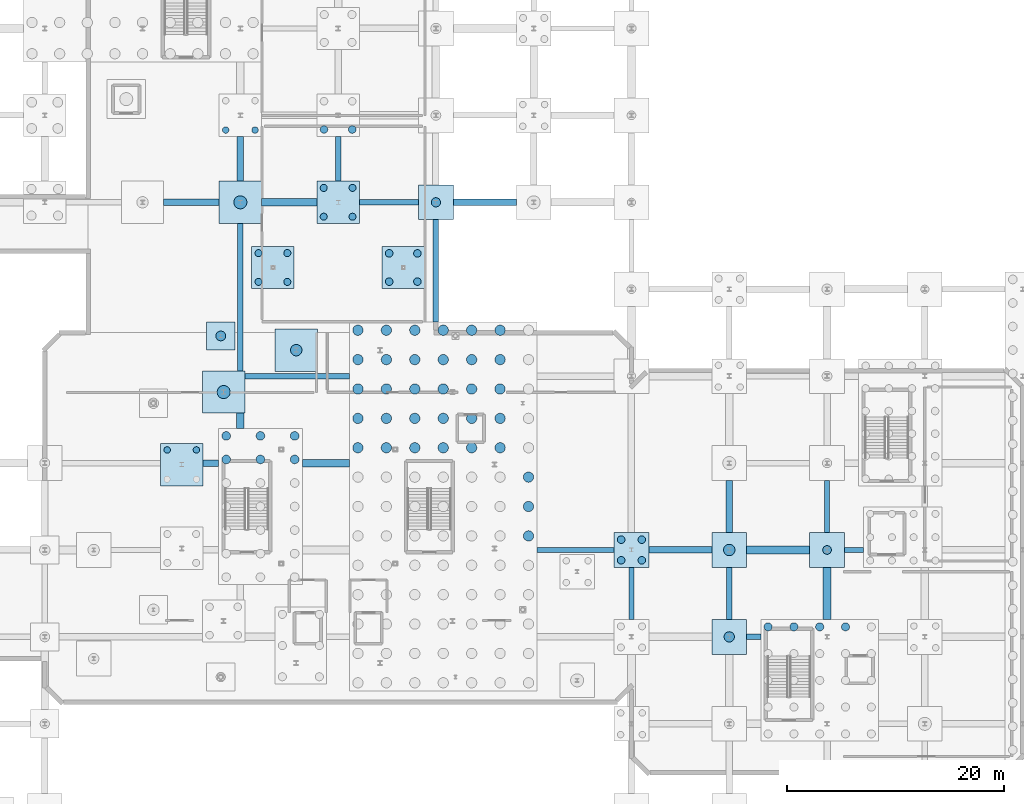
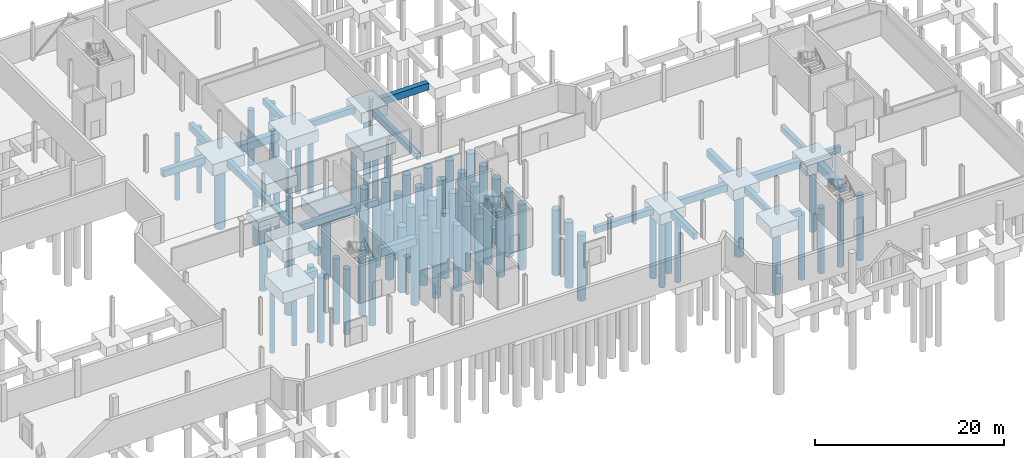
# One storey, part 5 of 37: 73 piles, 35 footings.
"""IFC4 building model written with IfcOpenShell, lengths in metres."""

from ifc_helpers import new_model, si_unit, direction, frame, origin, origin_2d, place, context, subcontext, project, spatial, polyline, rectangle, circle, outline, extrude, material, material_profile, profile_set, type_object, element, save


model = new_model("IFC4")

# Units and contexts
model_context = context("Model", 3, precision=1e-05, world=origin(), true_north=direction((0.0, 1.0)))
body_context = subcontext(model_context, "Body", "Model", "MODEL_VIEW")
ifc_project = project(units=[si_unit("LENGTHUNIT", "METRE"), si_unit("AREAUNIT", "SQUARE_METRE"), si_unit("VOLUMEUNIT", "CUBIC_METRE"), si_unit("PLANEANGLEUNIT", "RADIAN"), si_unit("MASSUNIT", "GRAM", prefix="KILO"), si_unit("THERMODYNAMICTEMPERATUREUNIT", "KELVIN"), si_unit("POWERUNIT", "WATT")], contexts=[model_context])

# Site, building, storey
site_placement = place(None, origin())
site = spatial("IfcSite", under=ifc_project, at=site_placement, CompositionType="ELEMENT")
building_placement = place(site_placement, origin())
building = spatial("IfcBuilding", under=site, at=building_placement, Name="Zelmaris Science Centre", CompositionType="ELEMENT")
storey_placement = place(building_placement, frame((0.0, 0.0, -4.800048828125)))
storey = spatial("IfcBuildingStorey", under=building, at=storey_placement, Name="B1", CompositionType="ELEMENT", Elevation=-4.800048828125)

# Footings
ifc_material = material(Name="Concrete C40/50", Category="concrete")
ifc_material_profile_1 = material_profile(ifc_material, rectangle(XDim=0.5, YDim=0.800048828125, at=origin_2d()), Name="FB-500X800")
ifc_profile_set_1 = profile_set([ifc_material_profile_1], Name="Concrete C40/50")
footing_type_1 = type_object("IfcFootingType", Name="Foundation Tie Beam FB-01 500x800", PredefinedType="FOOTING_BEAM", material=ifc_profile_set_1)
footing_1_placement = place(storey_placement, frame((72.0, 48.486083984375, -0.75), z_axis=(0.0, 1.0, 0.0), x_axis=(-1.0, 0.0, 0.0)))
element("IfcFooting", 1, at=footing_1_placement, inside=storey, type_object=footing_type_1, Name="Foundation tie beam 40", PredefinedType="FOOTING_BEAM", context=body_context, shape_type="SweptSolid", body=[
    extrude(rectangle(XDim=0.5, YDim=0.800048828125, at=origin_2d()), origin(), (0.0, 0.0, 1.0), 13.56396484375),
])
footing_2_placement = place(storey_placement, frame((81.0, 65.949951171875, -0.75), z_axis=(0.0, 1.0, 0.0), x_axis=(-1.0, 0.0, 0.0)))
element("IfcFooting", 2, at=footing_2_placement, inside=storey, type_object=footing_type_1, Name="Foundation tie beam 43", PredefinedType="FOOTING_BEAM", context=body_context, shape_type="SweptSolid", body=[
    extrude(rectangle(XDim=0.5, YDim=0.800048828125, at=origin_2d()), origin(), (0.0, 0.0, 1.0), 4.10009765625),
])
footing_3_placement = place(storey_placement, frame((90.0, 53.0, -0.75), z_axis=(0.0, 1.0, 0.0), x_axis=(-1.0, 0.0, 0.0)))
element("IfcFooting", 3, at=footing_3_placement, inside=storey, type_object=footing_type_1, Name="Foundation tie beam 46", PredefinedType="FOOTING_BEAM", context=body_context, shape_type="SweptSolid", body=[
    extrude(rectangle(XDim=0.5, YDim=0.800048828125, at=origin_2d()), origin(), (0.0, 0.0, 1.0), 9.39990234375),
])
for number, where, z_axis, x_axis, name in (
    (4, (108.0, 25.60009765625, -0.75), (0.0, 1.0, 0.0), (-1.0, 0.0, 0.0), "Foundation tie beam 55"),
    (5, (117.0, 25.60009765625, -0.75), (0.0, 1.0, 0.0), (-1.0, 0.0, 0.0), "Foundation tie beam 64"),
    (6, (126.0, 33.60009765625, -0.75), (0.0, 1.0, 0.0), (-1.0, 0.0, 0.0), "Foundation tie beam 70"),
):
    element("IfcFooting", number, at=place(storey_placement, frame(where, z_axis=z_axis, x_axis=x_axis)), inside=storey, type_object=footing_type_1, Name=name, PredefinedType="FOOTING_BEAM", context=body_context, shape_type="SweptSolid", body=[
        extrude(rectangle(XDim=0.5, YDim=0.800048828125, at=origin_2d()), origin(), (0.0, 0.0, 1.0), 4.7998046875),
    ])
footing_4_placement = place(storey_placement, frame((118.60009765625, 24.0, -0.75), z_axis=(1.0, 0.0, 0.0), x_axis=(0.0, 1.0, 0.0)))
element("IfcFooting", 7, at=footing_4_placement, inside=storey, type_object=footing_type_1, Name="Foundation tie beam 121", PredefinedType="FOOTING_BEAM", context=body_context, shape_type="SweptSolid", body=[
    extrude(rectangle(XDim=0.5, YDim=0.800048828125, at=origin_2d()), origin(), (0.0, 0.0, 1.0), 1.2998046875),
])
footing_5_placement = place(storey_placement, frame((99.300048828125, 32.0, -0.75), z_axis=(1.0, 0.0, 0.0), x_axis=(0.0, 1.0, 0.0)))
element("IfcFooting", 8, at=footing_5_placement, inside=storey, type_object=footing_type_1, Name="Foundation tie beam 136", PredefinedType="FOOTING_BEAM", context=body_context, shape_type="SweptSolid", body=[
    extrude(rectangle(XDim=0.5, YDim=0.800048828125, at=origin_2d()), origin(), (0.0, 0.0, 1.0), 7.099853515625),
])
footing_6_placement = place(storey_placement, frame((127.60009765625, 32.0, -0.75), z_axis=(1.0, 0.0, 0.0), x_axis=(0.0, 1.0, 0.0)))
element("IfcFooting", 9, at=footing_6_placement, inside=storey, type_object=footing_type_1, Name="Foundation tie beam 139", PredefinedType="FOOTING_BEAM", context=body_context, shape_type="SweptSolid", body=[
    extrude(rectangle(XDim=0.5, YDim=0.800048828125, at=origin_2d()), origin(), (0.0, 0.0, 1.0), 1.75),
])
footing_7_placement = place(storey_placement, frame((72.4140625, 48.0, -0.75), z_axis=(1.0, 0.0, 0.0), x_axis=(0.0, 1.0, 0.0)))
element("IfcFooting", 10, at=footing_7_placement, inside=storey, type_object=footing_type_1, Name="Foundation tie beam 157", PredefinedType="FOOTING_BEAM", context=body_context, shape_type="SweptSolid", body=[
    extrude(rectangle(XDim=0.5, YDim=0.800048828125, at=origin_2d()), origin(), (0.0, 0.0, 1.0), 9.635986328125),
])
footing_8_placement = place(storey_placement, frame((82.949951171875, 64.0, -0.75), z_axis=(1.0, 0.0, 0.0), x_axis=(0.0, 1.0, 0.0)))
element("IfcFooting", 11, at=footing_8_placement, inside=storey, type_object=footing_type_1, Name="Foundation tie beam 178", PredefinedType="FOOTING_BEAM", context=body_context, shape_type="SweptSolid", body=[
    extrude(rectangle(XDim=0.5, YDim=0.800048828125, at=origin_2d()), origin(), (0.0, 0.0, 1.0), 5.449951171875),
])
ifc_material_profile_2 = material_profile(ifc_material, rectangle(XDim=0.60009765625, YDim=0.89990234375, at=origin_2d()), Name="FB-600X900")
ifc_profile_set_2 = profile_set([ifc_material_profile_2], Name="Concrete C40/50")
footing_type_2 = type_object("IfcFootingType", Name="Foundation Tie Beam FB-02 600x900", PredefinedType="FOOTING_BEAM", material=ifc_profile_set_2)
footing_9_placement = place(storey_placement, frame((72.0, 65.949951171875, -0.800048828125), z_axis=(0.0, 1.0, 0.0), x_axis=(-1.0, 0.0, 0.0)))
element("IfcFooting", 12, at=footing_9_placement, inside=storey, type_object=footing_type_2, Name="Foundation tie beam 41", PredefinedType="FOOTING_BEAM", context=body_context, shape_type="SweptSolid", body=[
    extrude(rectangle(XDim=0.60009765625, YDim=0.89990234375, at=origin_2d()), origin(), (0.0, 0.0, 1.0), 4.10009765625),
])
footing_10_placement = place(storey_placement, frame((117.0, 33.60009765625, -0.800048828125), z_axis=(0.0, 1.0, 0.0), x_axis=(-1.0, 0.0, 0.0)))
element("IfcFooting", 13, at=footing_10_placement, inside=storey, type_object=footing_type_2, Name="Foundation tie beam 65", PredefinedType="FOOTING_BEAM", context=body_context, shape_type="SweptSolid", body=[
    extrude(rectangle(XDim=0.60009765625, YDim=0.89990234375, at=origin_2d()), origin(), (0.0, 0.0, 1.0), 4.7998046875),
])
footing_11_placement = place(storey_placement, frame((109.60009765625, 32.0, -0.800048828125), z_axis=(1.0, 0.0, 0.0), x_axis=(0.0, 1.0, 0.0)))
element("IfcFooting", 14, at=footing_11_placement, inside=storey, type_object=footing_type_2, Name="Foundation tie beam 137", PredefinedType="FOOTING_BEAM", context=body_context, shape_type="SweptSolid", body=[
    extrude(rectangle(XDim=0.60009765625, YDim=0.89990234375, at=origin_2d()), origin(), (0.0, 0.0, 1.0), 5.7998046875),
])
footing_12_placement = place(storey_placement, frame((68.55810546875, 40.0, -0.800048828125), z_axis=(1.0, 0.0, 0.0), x_axis=(0.0, 1.0, 0.0)))
element("IfcFooting", 15, at=footing_12_placement, inside=storey, type_object=footing_type_2, Name="Foundation tie beam 149", PredefinedType="FOOTING_BEAM", context=body_context, shape_type="SweptSolid", body=[
    extrude(rectangle(XDim=0.60009765625, YDim=0.89990234375, at=origin_2d()), origin(), (0.0, 0.0, 1.0), 1.44189453125),
])
footing_13_placement = place(storey_placement, frame((64.949951171875, 64.0, -0.800048828125), z_axis=(1.0, 0.0, 0.0), x_axis=(0.0, 1.0, 0.0)))
element("IfcFooting", 16, at=footing_13_placement, inside=storey, type_object=footing_type_2, Name="Foundation tie beam 176", PredefinedType="FOOTING_BEAM", context=body_context, shape_type="SweptSolid", body=[
    extrude(rectangle(XDim=0.60009765625, YDim=0.89990234375, at=origin_2d()), origin(), (0.0, 0.0, 1.0), 5.10009765625),
])
footing_14_placement = place(storey_placement, frame((91.60009765625, 64.0, -0.800048828125), z_axis=(1.0, 0.0, 0.0), x_axis=(0.0, 1.0, 0.0)))
element("IfcFooting", 17, at=footing_14_placement, inside=storey, type_object=footing_type_2, Name="Foundation tie beam 179", PredefinedType="FOOTING_BEAM", context=body_context, shape_type="SweptSolid", body=[
    extrude(rectangle(XDim=0.60009765625, YDim=0.89990234375, at=origin_2d()), origin(), (0.0, 0.0, 1.0), 5.7998046875),
])
ifc_material_profile_3 = material_profile(ifc_material, rectangle(XDim=0.699951171875, YDim=1.0, at=origin_2d()), Name="FB-700X1000")
ifc_profile_set_3 = profile_set([ifc_material_profile_3], Name="Concrete C40/50")
footing_type_3 = type_object("IfcFootingType", Name="Foundation Tie Beam FB-03 700x1000", PredefinedType="FOOTING_BEAM", material=ifc_profile_set_3)
footing_15_placement = place(storey_placement, frame((72.0, 43.199951171875, -0.849853515625), z_axis=(0.0, 1.0, 0.0), x_axis=(-1.0, 0.0, 0.0)))
element("IfcFooting", 18, at=footing_15_placement, inside=storey, type_object=footing_type_3, Name="Foundation tie beam 39", PredefinedType="FOOTING_BEAM", context=body_context, shape_type="SweptSolid", body=[
    extrude(rectangle(XDim=0.699951171875, YDim=1.0, at=origin_2d()), origin(), (0.0, 0.0, 1.0), 1.385986328125),
])
footing_16_placement = place(storey_placement, frame((126.0, 25.60009765625, -0.849853515625), z_axis=(0.0, 1.0, 0.0), x_axis=(-1.0, 0.0, 0.0)))
element("IfcFooting", 19, at=footing_16_placement, inside=storey, type_object=footing_type_3, Name="Foundation tie beam 69", PredefinedType="FOOTING_BEAM", context=body_context, shape_type="SweptSolid", body=[
    extrude(rectangle(XDim=0.699951171875, YDim=1.0, at=origin_2d()), origin(), (0.0, 0.0, 1.0), 4.7998046875),
])
footing_17_placement = place(storey_placement, frame((118.60009765625, 32.0, -0.849853515625), z_axis=(1.0, 0.0, 0.0), x_axis=(0.0, 1.0, 0.0)))
element("IfcFooting", 20, at=footing_17_placement, inside=storey, type_object=footing_type_3, Name="Foundation tie beam 138", PredefinedType="FOOTING_BEAM", context=body_context, shape_type="SweptSolid", body=[
    extrude(rectangle(XDim=0.699951171875, YDim=1.0, at=origin_2d()), origin(), (0.0, 0.0, 1.0), 5.7998046875),
])
footing_18_placement = place(storey_placement, frame((77.699951171875, 40.0, -0.849853515625), z_axis=(1.0, 0.0, 0.0), x_axis=(0.0, 1.0, 0.0)))
element("IfcFooting", 21, at=footing_18_placement, inside=storey, type_object=footing_type_3, Name="Foundation tie beam 150", PredefinedType="FOOTING_BEAM", context=body_context, shape_type="SweptSolid", body=[
    extrude(rectangle(XDim=0.699951171875, YDim=1.0, at=origin_2d()), origin(), (0.0, 0.0, 1.0), 4.35009765625),
])
footing_19_placement = place(storey_placement, frame((73.949951171875, 64.0, -0.849853515625), z_axis=(1.0, 0.0, 0.0), x_axis=(0.0, 1.0, 0.0)))
element("IfcFooting", 22, at=footing_19_placement, inside=storey, type_object=footing_type_3, Name="Foundation tie beam 177", PredefinedType="FOOTING_BEAM", context=body_context, shape_type="SweptSolid", body=[
    extrude(rectangle(XDim=0.699951171875, YDim=1.0, at=origin_2d()), origin(), (0.0, 0.0, 1.0), 5.10009765625),
])
footing_type_4 = type_object("IfcFootingType", Name="Pile Cap PCM-2626 2600x2600x1200", PredefinedType="PILE_CAP", material=ifc_material)
footing_20_placement = place(storey_placement, frame((0.0, 0.0, -1.550048828125)))
element("IfcFooting", 23, at=footing_20_placement, inside=storey, type_object=footing_type_4, Name="Pile cap 57", PredefinedType="PILE_CAP", context=body_context, shape_type="SweptSolid", body=[
    extrude(outline(polyline([(68.89990234375, 50.39990234375), (71.5, 50.39990234375), (71.5, 53.0), (68.89990234375, 53.0), (68.89990234375, 50.39990234375)])), origin(), (0.0, 0.0, 1.0), 1.2001953125),
])
footing_type_5 = type_object("IfcFootingType", Name="Pile Cap PCM-3232 3200x3200x1350", PredefinedType="PILE_CAP", material=ifc_material)
footing_21_placement = place(storey_placement, frame((0.0, 0.0, -1.699951171875)))
element("IfcFooting", 24, at=footing_21_placement, inside=storey, type_object=footing_type_5, Name="Pile cap 63", PredefinedType="PILE_CAP", context=body_context, shape_type="SweptSolid", body=[
    extrude(outline(polyline([(106.39990234375, 30.39990234375), (109.60009765625, 30.39990234375), (109.60009765625, 33.60009765625), (106.39990234375, 33.60009765625), (106.39990234375, 30.39990234375)])), origin(), (0.0, 0.0, 1.0), 1.35009765625),
])
footing_22_placement = place(storey_placement, frame((0.0, 0.0, -1.699951171875)))
element("IfcFooting", 25, at=footing_22_placement, inside=storey, type_object=footing_type_5, Name="Pile cap 68", PredefinedType="PILE_CAP", context=body_context, shape_type="SweptSolid", body=[
    extrude(outline(polyline([(115.39990234375, 22.39990234375), (118.60009765625, 22.39990234375), (118.60009765625, 25.60009765625), (115.39990234375, 25.60009765625), (115.39990234375, 22.39990234375)])), origin(), (0.0, 0.0, 1.0), 1.35009765625),
])
footing_23_placement = place(storey_placement, frame((0.0, 0.0, -1.699951171875)))
element("IfcFooting", 26, at=footing_23_placement, inside=storey, type_object=footing_type_5, Name="Pile cap 69", PredefinedType="PILE_CAP", context=body_context, shape_type="SweptSolid", body=[
    extrude(outline(polyline([(115.39990234375, 30.39990234375), (118.60009765625, 30.39990234375), (118.60009765625, 33.60009765625), (115.39990234375, 33.60009765625), (115.39990234375, 30.39990234375)])), origin(), (0.0, 0.0, 1.0), 1.35009765625),
])
footing_24_placement = place(storey_placement, frame((0.0, 0.0, -1.699951171875)))
element("IfcFooting", 27, at=footing_24_placement, inside=storey, type_object=footing_type_5, Name="Pile cap 75", PredefinedType="PILE_CAP", context=body_context, shape_type="SweptSolid", body=[
    extrude(outline(polyline([(124.39990234375, 30.39990234375), (127.60009765625, 30.39990234375), (127.60009765625, 33.60009765625), (124.39990234375, 33.60009765625), (124.39990234375, 30.39990234375)])), origin(), (0.0, 0.0, 1.0), 1.35009765625),
])
footing_25_placement = place(storey_placement, frame((0.0, 0.0, -1.699951171875)))
element("IfcFooting", 28, at=footing_25_placement, inside=storey, type_object=footing_type_5, Name="Pile cap 106", PredefinedType="PILE_CAP", context=body_context, shape_type="SweptSolid", body=[
    extrude(outline(polyline([(88.39990234375, 62.39990234375), (91.60009765625, 62.39990234375), (91.60009765625, 65.60009765625), (88.39990234375, 65.60009765625), (88.39990234375, 62.39990234375)])), origin(), (0.0, 0.0, 1.0), 1.35009765625),
])
footing_type_6 = type_object("IfcFootingType", Name="Pile Cap PCM-3939 3900x3900x1500", PredefinedType="PILE_CAP", material=ifc_material)
footing_26_placement = place(storey_placement, frame((0.0, 0.0, -1.849853515625)))
element("IfcFooting", 29, at=footing_26_placement, inside=storey, type_object=footing_type_6, Name="Pile cap 49", PredefinedType="PILE_CAP", context=body_context, shape_type="SweptSolid", body=[
    extrude(outline(polyline([(75.194091796875, 48.44189453125), (79.093994140625, 48.44189453125), (79.093994140625, 52.342041015625), (75.194091796875, 52.342041015625), (75.194091796875, 48.44189453125)])), origin(), (0.0, 0.0, 1.0), 1.5),
])
footing_27_placement = place(storey_placement, frame((0.0, 0.0, -1.849853515625)))
element("IfcFooting", 30, at=footing_27_placement, inside=storey, type_object=footing_type_6, Name="Pile cap 50", PredefinedType="PILE_CAP", context=body_context, shape_type="SweptSolid", body=[
    extrude(outline(polyline([(68.513916015625, 44.5859375), (72.4140625, 44.5859375), (72.4140625, 48.486083984375), (68.513916015625, 48.486083984375), (68.513916015625, 44.5859375)])), origin(), (0.0, 0.0, 1.0), 1.5),
])
footing_28_placement = place(storey_placement, frame((0.0, 0.0, -1.849853515625)))
element("IfcFooting", 31, at=footing_28_placement, inside=storey, type_object=footing_type_6, Name="Pile cap 51", PredefinedType="PILE_CAP", context=body_context, shape_type="SweptSolid", body=[
    extrude(outline(polyline([(64.657958984375, 37.906005859375), (68.55810546875, 37.906005859375), (68.55810546875, 41.805908203125), (64.657958984375, 41.805908203125), (64.657958984375, 37.906005859375)])), origin(), (0.0, 0.0, 1.0), 1.5),
])
footing_29_placement = place(storey_placement, frame((0.0, 0.0, -1.849853515625)))
element("IfcFooting", 32, at=footing_29_placement, inside=storey, type_object=footing_type_6, Name="Pile cap 100", PredefinedType="PILE_CAP", context=body_context, shape_type="SweptSolid", body=[
    extrude(outline(polyline([(70.050048828125, 62.050048828125), (73.949951171875, 62.050048828125), (73.949951171875, 65.949951171875), (70.050048828125, 65.949951171875), (70.050048828125, 62.050048828125)])), origin(), (0.0, 0.0, 1.0), 1.5),
])
footing_30_placement = place(storey_placement, frame((0.0, 0.0, -1.849853515625)))
element("IfcFooting", 33, at=footing_30_placement, inside=storey, type_object=footing_type_6, Name="Pile cap 102", PredefinedType="PILE_CAP", context=body_context, shape_type="SweptSolid", body=[
    extrude(outline(polyline([(79.050048828125, 62.050048828125), (82.949951171875, 62.050048828125), (82.949951171875, 65.949951171875), (79.050048828125, 65.949951171875), (79.050048828125, 62.050048828125)])), origin(), (0.0, 0.0, 1.0), 1.5),
])
footing_31_placement = place(storey_placement, frame((0.0, 0.0, -1.849853515625)))
element("IfcFooting", 34, at=footing_31_placement, inside=storey, type_object=footing_type_6, Name="Pile cap 122", PredefinedType="PILE_CAP", context=body_context, shape_type="SweptSolid", body=[
    extrude(outline(polyline([(73.050048828125, 56.050048828125), (76.949951171875, 56.050048828125), (76.949951171875, 59.949951171875), (73.050048828125, 59.949951171875), (73.050048828125, 56.050048828125)])), origin(), (0.0, 0.0, 1.0), 1.5),
])
footing_32_placement = place(storey_placement, frame((0.0, 0.0, -1.849853515625)))
element("IfcFooting", 35, at=footing_32_placement, inside=storey, type_object=footing_type_6, Name="Pile cap 123", PredefinedType="PILE_CAP", context=body_context, shape_type="SweptSolid", body=[
    extrude(outline(polyline([(85.050048828125, 56.050048828125), (88.949951171875, 56.050048828125), (88.949951171875, 59.949951171875), (85.050048828125, 59.949951171875), (85.050048828125, 56.050048828125)])), origin(), (0.0, 0.0, 1.0), 1.5),
])

# Piles
ifc_material_profile_4 = material_profile(ifc_material, circle(Radius=0.52490234375, at=origin_2d()), Name="PILE-1050")
ifc_profile_set_4 = profile_set([ifc_material_profile_4], Name="Concrete C40/50")
pile_type_1 = type_object("IfcPileType", Name="Pile PL-1050 D1050", PredefinedType="BORED", material=ifc_profile_set_4)
pile_1_placement = place(storey_placement, frame((77.14404296875, 50.39208984375, -1.72998046875), z_axis=(0.0, 0.0, -1.0), x_axis=(1.0, 0.0, 0.0)))
element("IfcPile", 36, at=pile_1_placement, inside=storey, type_object=pile_type_1, Name="Bored pile 49-1", PredefinedType="BORED", context=body_context, shape_type="SweptSolid", body=[
    extrude(circle(Radius=0.52490234375, at=origin_2d()), origin(), (0.0, 0.0, 1.0), 8.469970703125),
])
pile_2_placement = place(storey_placement, frame((117.0, 32.0, -1.579833984375), z_axis=(0.0, 0.0, -1.0), x_axis=(1.0, 0.0, 0.0)))
element("IfcPile", 37, at=pile_2_placement, inside=storey, type_object=pile_type_1, Name="Bored pile 69-1", PredefinedType="BORED", context=body_context, shape_type="SweptSolid", body=[
    extrude(circle(Radius=0.52490234375, at=origin_2d()), origin(), (0.0, 0.0, 1.0), 8.6201171875),
])
ifc_material_profile_5 = material_profile(ifc_material, circle(Radius=0.60009765625, at=origin_2d()), Name="PILE-1200")
ifc_profile_set_5 = profile_set([ifc_material_profile_5], Name="Concrete C40/50")
pile_type_2 = type_object("IfcPileType", Name="Pile PL-1200 D1200", PredefinedType="BORED", material=ifc_profile_set_5)
for number, where, z_axis, x_axis, name in (
    (38, (70.464111328125, 46.535888671875, -1.72998046875), (0.0, 0.0, -1.0), (1.0, 0.0, 0.0), "Bored pile 50-1"),
    (39, (72.0, 64.0, -1.72998046875), (0.0, 0.0, -1.0), (1.0, 0.0, 0.0), "Bored pile 100-1"),
):
    element("IfcPile", number, at=place(storey_placement, frame(where, z_axis=z_axis, x_axis=x_axis)), inside=storey, type_object=pile_type_2, Name=name, PredefinedType="BORED", context=body_context, shape_type="SweptSolid", body=[
        extrude(circle(Radius=0.60009765625, at=origin_2d()), origin(), (0.0, 0.0, 1.0), 8.469970703125),
    ])
ifc_material_profile_6 = material_profile(ifc_material, circle(Radius=0.300048828125, at=origin_2d()), Name="PILE-600")
ifc_profile_set_6 = profile_set([ifc_material_profile_6], Name="Concrete C40/50")
pile_type_3 = type_object("IfcPileType", Name="Pile PL-600 D600", PredefinedType="BORED", material=ifc_profile_set_6)
for number, where, z_axis, x_axis, name in (
    (40, (65.258056640625, 41.2060546875, -1.72998046875), (0.0, 0.0, -1.0), (1.0, 0.0, 0.0), "Bored pile 51-2"),
    (41, (67.9580078125, 41.2060546875, -1.72998046875), (0.0, 0.0, -1.0), (1.0, 0.0, 0.0), "Bored pile 51-4"),
    (42, (70.64990234375, 70.64990234375, -1.72998046875), (0.0, 0.0, -1.0), (1.0, 0.0, 0.0), "Bored pile 101-1"),
    (43, (73.35009765625, 70.64990234375, -1.72998046875), (0.0, 0.0, -1.0), (1.0, 0.0, 0.0), "Bored pile 101-3"),
):
    element("IfcPile", number, at=place(storey_placement, frame(where, z_axis=z_axis, x_axis=x_axis)), inside=storey, type_object=pile_type_3, Name=name, PredefinedType="BORED", context=body_context, shape_type="SweptSolid", body=[
        extrude(circle(Radius=0.300048828125, at=origin_2d()), origin(), (0.0, 0.0, 1.0), 8.469970703125),
    ])
ifc_material_profile_7 = material_profile(ifc_material, circle(Radius=0.324951171875, at=origin_2d()), Name="PILE-650")
ifc_profile_set_7 = profile_set([ifc_material_profile_7], Name="Concrete C40/50")
pile_type_4 = type_object("IfcPileType", Name="Pile PL-650 D650", PredefinedType="BORED", material=ifc_profile_set_7)
for number, where, z_axis, x_axis, name in (
    (44, (79.675048828125, 62.675048828125, -1.72998046875), (0.0, 0.0, -1.0), (1.0, 0.0, 0.0), "Bored pile 102-1"),
    (45, (79.675048828125, 65.324951171875, -1.72998046875), (0.0, 0.0, -1.0), (1.0, 0.0, 0.0), "Bored pile 102-2"),
    (46, (82.324951171875, 62.675048828125, -1.72998046875), (0.0, 0.0, -1.0), (1.0, 0.0, 0.0), "Bored pile 102-3"),
    (47, (82.324951171875, 65.324951171875, -1.72998046875), (0.0, 0.0, -1.0), (1.0, 0.0, 0.0), "Bored pile 102-4"),
    (48, (73.675048828125, 56.675048828125, -1.72998046875), (0.0, 0.0, -1.0), (1.0, 0.0, 0.0), "Bored pile 122-1"),
    (49, (73.675048828125, 59.324951171875, -1.72998046875), (0.0, 0.0, -1.0), (1.0, 0.0, 0.0), "Bored pile 122-2"),
    (50, (76.324951171875, 56.675048828125, -1.72998046875), (0.0, 0.0, -1.0), (1.0, 0.0, 0.0), "Bored pile 122-3"),
    (51, (76.324951171875, 59.324951171875, -1.72998046875), (0.0, 0.0, -1.0), (1.0, 0.0, 0.0), "Bored pile 122-4"),
):
    element("IfcPile", number, at=place(storey_placement, frame(where, z_axis=z_axis, x_axis=x_axis)), inside=storey, type_object=pile_type_4, Name=name, PredefinedType="BORED", context=body_context, shape_type="SweptSolid", body=[
        extrude(circle(Radius=0.324951171875, at=origin_2d()), origin(), (0.0, 0.0, 1.0), 8.469970703125),
    ])
ifc_material_profile_8 = material_profile(ifc_material, circle(Radius=0.35009765625, at=origin_2d()), Name="PILE-700")
ifc_profile_set_8 = profile_set([ifc_material_profile_8], Name="Concrete C40/50")
pile_type_5 = type_object("IfcPileType", Name="Pile PL-700 D700", PredefinedType="BORED", material=ifc_profile_set_8)
for number, where, z_axis, x_axis, name in (
    (52, (107.050048828125, 31.050048828125, -1.579833984375), (0.0, 0.0, -1.0), (1.0, 0.0, 0.0), "Bored pile 63-1"),
    (53, (107.050048828125, 32.949951171875, -1.579833984375), (0.0, 0.0, -1.0), (1.0, 0.0, 0.0), "Bored pile 63-2"),
    (54, (108.949951171875, 31.050048828125, -1.579833984375), (0.0, 0.0, -1.0), (1.0, 0.0, 0.0), "Bored pile 63-3"),
    (55, (108.949951171875, 32.949951171875, -1.579833984375), (0.0, 0.0, -1.0), (1.0, 0.0, 0.0), "Bored pile 63-4"),
):
    element("IfcPile", number, at=place(storey_placement, frame(where, z_axis=z_axis, x_axis=x_axis)), inside=storey, type_object=pile_type_5, Name=name, PredefinedType="BORED", context=body_context, shape_type="SweptSolid", body=[
        extrude(circle(Radius=0.35009765625, at=origin_2d()), origin(), (0.0, 0.0, 1.0), 8.6201171875),
    ])
for number, where, z_axis, x_axis, name in (
    (56, (79.699951171875, 70.699951171875, -1.72998046875), (0.0, 0.0, -1.0), (1.0, 0.0, 0.0), "Bored pile 103-1"),
    (57, (82.300048828125, 70.699951171875, -1.72998046875), (0.0, 0.0, -1.0), (1.0, 0.0, 0.0), "Bored pile 103-3"),
    (58, (85.699951171875, 56.699951171875, -1.72998046875), (0.0, 0.0, -1.0), (1.0, 0.0, 0.0), "Bored pile 123-1"),
    (59, (85.699951171875, 59.300048828125, -1.72998046875), (0.0, 0.0, -1.0), (1.0, 0.0, 0.0), "Bored pile 123-2"),
    (60, (88.300048828125, 56.699951171875, -1.72998046875), (0.0, 0.0, -1.0), (1.0, 0.0, 0.0), "Bored pile 123-3"),
    (61, (88.300048828125, 59.300048828125, -1.72998046875), (0.0, 0.0, -1.0), (1.0, 0.0, 0.0), "Bored pile 123-4"),
):
    element("IfcPile", number, at=place(storey_placement, frame(where, z_axis=z_axis, x_axis=x_axis)), inside=storey, type_object=pile_type_5, Name=name, PredefinedType="BORED", context=body_context, shape_type="SweptSolid", body=[
        extrude(circle(Radius=0.35009765625, at=origin_2d()), origin(), (0.0, 0.0, 1.0), 8.469970703125),
    ])
ifc_material_profile_9 = material_profile(ifc_material, circle(Radius=0.375, at=origin_2d()), Name="PILE-750")
ifc_profile_set_9 = profile_set([ifc_material_profile_9], Name="Concrete C40/50")
pile_type_6 = type_object("IfcPileType", Name="Pile PL-750 D750", PredefinedType="BORED", material=ifc_profile_set_9)
for number, where, z_axis, x_axis, name in (
    (62, (120.574951171875, 24.925048828125, -1.72998046875), (0.0, 0.0, -1.0), (1.0, 0.0, 0.0), "Bored pile 74-5"),
    (63, (122.949951171875, 24.925048828125, -1.72998046875), (0.0, 0.0, -1.0), (1.0, 0.0, 0.0), "Bored pile 74-10"),
    (64, (125.324951171875, 24.925048828125, -1.72998046875), (0.0, 0.0, -1.0), (1.0, 0.0, 0.0), "Bored pile 74-15"),
    (65, (127.699951171875, 24.925048828125, -1.72998046875), (0.0, 0.0, -1.0), (1.0, 0.0, 0.0), "Bored pile 74-20"),
):
    element("IfcPile", number, at=place(storey_placement, frame(where, z_axis=z_axis, x_axis=x_axis)), inside=storey, type_object=pile_type_6, Name=name, PredefinedType="BORED", context=body_context, shape_type="SweptSolid", body=[
        extrude(circle(Radius=0.375, at=origin_2d()), origin(), (0.0, 0.0, 1.0), 8.469970703125),
    ])
ifc_material_profile_10 = material_profile(ifc_material, circle(Radius=0.39990234375, at=origin_2d()), Name="PILE-800")
ifc_profile_set_10 = profile_set([ifc_material_profile_10], Name="Concrete C40/50")
pile_type_7 = type_object("IfcPileType", Name="Pile PL-800 D800", PredefinedType="BORED", material=ifc_profile_set_10)
for number, where, z_axis, x_axis, name in (
    (66, (70.699951171875, 40.333251953125, -1.72998046875), (0.0, 0.0, -1.0), (1.0, 0.0, 0.0), "Bored pile 55-6"),
    (67, (70.699951171875, 42.5, -1.72998046875), (0.0, 0.0, -1.0), (1.0, 0.0, 0.0), "Bored pile 55-7"),
    (68, (73.85009765625, 40.333251953125, -1.72998046875), (0.0, 0.0, -1.0), (1.0, 0.0, 0.0), "Bored pile 55-13"),
    (69, (73.85009765625, 42.5, -1.72998046875), (0.0, 0.0, -1.0), (1.0, 0.0, 0.0), "Bored pile 55-14"),
    (70, (77.0, 40.333251953125, -1.72998046875), (0.0, 0.0, -1.0), (1.0, 0.0, 0.0), "Bored pile 55-20"),
    (71, (77.0, 42.5, -1.72998046875), (0.0, 0.0, -1.0), (1.0, 0.0, 0.0), "Bored pile 55-21"),
):
    element("IfcPile", number, at=place(storey_placement, frame(where, z_axis=z_axis, x_axis=x_axis)), inside=storey, type_object=pile_type_7, Name=name, PredefinedType="BORED", context=body_context, shape_type="SweptSolid", body=[
        extrude(circle(Radius=0.39990234375, at=origin_2d()), origin(), (0.0, 0.0, 1.0), 8.469970703125),
    ])
pile_3_placement = place(storey_placement, frame((126.0, 32.0, -1.579833984375), z_axis=(0.0, 0.0, -1.0), x_axis=(1.0, 0.0, 0.0)))
element("IfcPile", 72, at=pile_3_placement, inside=storey, type_object=pile_type_7, Name="Bored pile 75-1", PredefinedType="BORED", context=body_context, shape_type="SweptSolid", body=[
    extrude(circle(Radius=0.39990234375, at=origin_2d()), origin(), (0.0, 0.0, 1.0), 8.6201171875),
])
ifc_material_profile_11 = material_profile(ifc_material, circle(Radius=0.425048828125, at=origin_2d()), Name="PILE-850")
ifc_profile_set_11 = profile_set([ifc_material_profile_11], Name="Concrete C40/50")
pile_type_8 = type_object("IfcPileType", Name="Pile PL-850 D850", PredefinedType="BORED", material=ifc_profile_set_11)
pile_4_placement = place(storey_placement, frame((90.0, 64.0, -1.579833984375), z_axis=(0.0, 0.0, -1.0), x_axis=(1.0, 0.0, 0.0)))
element("IfcPile", 73, at=pile_4_placement, inside=storey, type_object=pile_type_8, Name="Bored pile 106-1", PredefinedType="BORED", context=body_context, shape_type="SweptSolid", body=[
    extrude(circle(Radius=0.425048828125, at=origin_2d()), origin(), (0.0, 0.0, 1.0), 8.6201171875),
])
ifc_material_profile_12 = material_profile(ifc_material, circle(Radius=0.449951171875, at=origin_2d()), Name="PILE-900")
ifc_profile_set_12 = profile_set([ifc_material_profile_12], Name="Concrete C40/50")
pile_type_9 = type_object("IfcPileType", Name="Pile PL-900 D900", PredefinedType="BORED", material=ifc_profile_set_12)
pile_5_placement = place(storey_placement, frame((70.199951171875, 51.699951171875, -1.429931640625), z_axis=(0.0, 0.0, -1.0), x_axis=(1.0, 0.0, 0.0)))
element("IfcPile", 74, at=pile_5_placement, inside=storey, type_object=pile_type_9, Name="Bored pile 57-1", PredefinedType="BORED", context=body_context, shape_type="SweptSolid", body=[
    extrude(circle(Radius=0.449951171875, at=origin_2d()), origin(), (0.0, 0.0, 1.0), 8.77001953125),
])
ifc_material_profile_13 = material_profile(ifc_material, circle(Radius=0.47509765625, at=origin_2d()), Name="PILE-950")
ifc_profile_set_13 = profile_set([ifc_material_profile_13], Name="Concrete C40/50")
pile_type_10 = type_object("IfcPileType", Name="Pile PL-950 D950", PredefinedType="BORED", material=ifc_profile_set_13)
for number, where, z_axis, x_axis, name in (
    (75, (82.824951171875, 41.408203125, -1.72998046875), (0.0, 0.0, -1.0), (1.0, 0.0, 0.0), "Bored pile 48-9"),
    (76, (82.824951171875, 44.112548828125, -1.72998046875), (0.0, 0.0, -1.0), (1.0, 0.0, 0.0), "Bored pile 48-10"),
    (77, (82.824951171875, 46.816650390625, -1.72998046875), (0.0, 0.0, -1.0), (1.0, 0.0, 0.0), "Bored pile 48-11"),
    (78, (82.824951171875, 49.520751953125, -1.72998046875), (0.0, 0.0, -1.0), (1.0, 0.0, 0.0), "Bored pile 48-12"),
    (79, (82.824951171875, 52.22509765625, -1.72998046875), (0.0, 0.0, -1.0), (1.0, 0.0, 0.0), "Bored pile 48-13"),
    (80, (85.441650390625, 41.408203125, -1.72998046875), (0.0, 0.0, -1.0), (1.0, 0.0, 0.0), "Bored pile 48-22"),
    (81, (85.441650390625, 44.112548828125, -1.72998046875), (0.0, 0.0, -1.0), (1.0, 0.0, 0.0), "Bored pile 48-23"),
    (82, (85.441650390625, 46.816650390625, -1.72998046875), (0.0, 0.0, -1.0), (1.0, 0.0, 0.0), "Bored pile 48-24"),
    (83, (85.441650390625, 49.520751953125, -1.72998046875), (0.0, 0.0, -1.0), (1.0, 0.0, 0.0), "Bored pile 48-25"),
    (84, (85.441650390625, 52.22509765625, -1.72998046875), (0.0, 0.0, -1.0), (1.0, 0.0, 0.0), "Bored pile 48-26"),
    (85, (88.058349609375, 41.408203125, -1.72998046875), (0.0, 0.0, -1.0), (1.0, 0.0, 0.0), "Bored pile 48-35"),
    (86, (88.058349609375, 44.112548828125, -1.72998046875), (0.0, 0.0, -1.0), (1.0, 0.0, 0.0), "Bored pile 48-36"),
    (87, (88.058349609375, 46.816650390625, -1.72998046875), (0.0, 0.0, -1.0), (1.0, 0.0, 0.0), "Bored pile 48-37"),
    (88, (88.058349609375, 49.520751953125, -1.72998046875), (0.0, 0.0, -1.0), (1.0, 0.0, 0.0), "Bored pile 48-38"),
    (89, (88.058349609375, 52.22509765625, -1.72998046875), (0.0, 0.0, -1.0), (1.0, 0.0, 0.0), "Bored pile 48-39"),
    (90, (90.675048828125, 41.408203125, -1.72998046875), (0.0, 0.0, -1.0), (1.0, 0.0, 0.0), "Bored pile 48-48"),
    (91, (90.675048828125, 44.112548828125, -1.72998046875), (0.0, 0.0, -1.0), (1.0, 0.0, 0.0), "Bored pile 48-49"),
    (92, (90.675048828125, 46.816650390625, -1.72998046875), (0.0, 0.0, -1.0), (1.0, 0.0, 0.0), "Bored pile 48-50"),
    (93, (90.675048828125, 49.520751953125, -1.72998046875), (0.0, 0.0, -1.0), (1.0, 0.0, 0.0), "Bored pile 48-51"),
    (94, (90.675048828125, 52.22509765625, -1.72998046875), (0.0, 0.0, -1.0), (1.0, 0.0, 0.0), "Bored pile 48-52"),
    (95, (93.291748046875, 41.408203125, -1.72998046875), (0.0, 0.0, -1.0), (1.0, 0.0, 0.0), "Bored pile 48-61"),
    (96, (93.291748046875, 44.112548828125, -1.72998046875), (0.0, 0.0, -1.0), (1.0, 0.0, 0.0), "Bored pile 48-62"),
    (97, (93.291748046875, 46.816650390625, -1.72998046875), (0.0, 0.0, -1.0), (1.0, 0.0, 0.0), "Bored pile 48-63"),
    (98, (93.291748046875, 49.520751953125, -1.72998046875), (0.0, 0.0, -1.0), (1.0, 0.0, 0.0), "Bored pile 48-64"),
    (99, (93.291748046875, 52.22509765625, -1.72998046875), (0.0, 0.0, -1.0), (1.0, 0.0, 0.0), "Bored pile 48-65"),
    (100, (95.908203125, 41.408203125, -1.72998046875), (0.0, 0.0, -1.0), (1.0, 0.0, 0.0), "Bored pile 48-74"),
    (101, (95.908203125, 44.112548828125, -1.72998046875), (0.0, 0.0, -1.0), (1.0, 0.0, 0.0), "Bored pile 48-75"),
    (102, (95.908203125, 46.816650390625, -1.72998046875), (0.0, 0.0, -1.0), (1.0, 0.0, 0.0), "Bored pile 48-76"),
    (103, (95.908203125, 49.520751953125, -1.72998046875), (0.0, 0.0, -1.0), (1.0, 0.0, 0.0), "Bored pile 48-77"),
    (104, (95.908203125, 52.22509765625, -1.72998046875), (0.0, 0.0, -1.0), (1.0, 0.0, 0.0), "Bored pile 48-78"),
    (105, (98.52490234375, 33.2958984375, -1.72998046875), (0.0, 0.0, -1.0), (1.0, 0.0, 0.0), "Bored pile 48-84"),
    (106, (98.52490234375, 36.0, -1.72998046875), (0.0, 0.0, -1.0), (1.0, 0.0, 0.0), "Bored pile 48-85"),
    (107, (98.52490234375, 38.7041015625, -1.72998046875), (0.0, 0.0, -1.0), (1.0, 0.0, 0.0), "Bored pile 48-86"),
):
    element("IfcPile", number, at=place(storey_placement, frame(where, z_axis=z_axis, x_axis=x_axis)), inside=storey, type_object=pile_type_10, Name=name, PredefinedType="BORED", context=body_context, shape_type="SweptSolid", body=[
        extrude(circle(Radius=0.47509765625, at=origin_2d()), origin(), (0.0, 0.0, 1.0), 8.469970703125),
    ])
pile_6_placement = place(storey_placement, frame((117.0, 24.0, -1.579833984375), z_axis=(0.0, 0.0, -1.0), x_axis=(1.0, 0.0, 0.0)))
element("IfcPile", 108, at=pile_6_placement, inside=storey, type_object=pile_type_10, Name="Bored pile 68-1", PredefinedType="BORED", context=body_context, shape_type="SweptSolid", body=[
    extrude(circle(Radius=0.47509765625, at=origin_2d()), origin(), (0.0, 0.0, 1.0), 8.6201171875),
])

save(model, "model.ifc")
